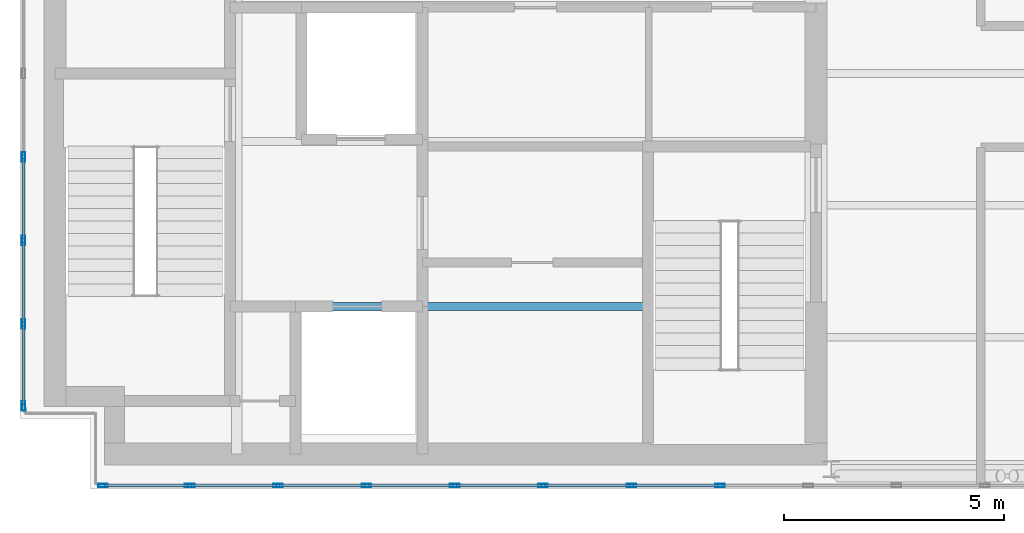
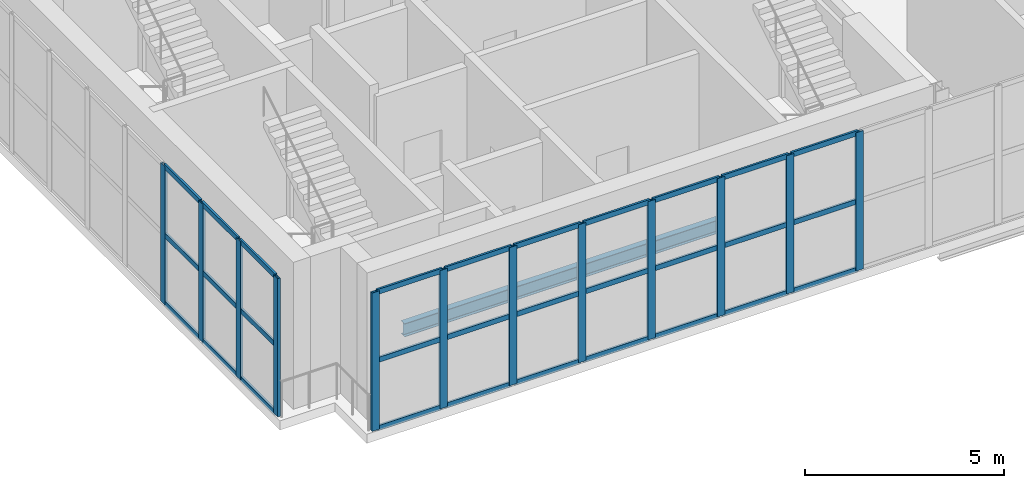
# One storey, part 2 of 21: 42 members, 1 beam, 2 elements without a shape of their own.
"""IFC4 building model written with IfcOpenShell, lengths in metres."""

from ifc_helpers import new_model, si_unit, direction, frame, origin, origin_2d, place, context, subcontext, project, spatial, hollow_rectangle, i_section, extrude, material, layer, layer_set, material_profile, profile_set, type_object, element, aggregate, save


model = new_model("IFC4")

# Units and contexts
model_context = context("Model", 3, precision=1e-05, world=origin(), true_north=direction((0.0, 1.0)))
body_context = subcontext(model_context, "Body", "Model", "MODEL_VIEW")
ifc_project = project(units=[si_unit("LENGTHUNIT", "METRE"), si_unit("AREAUNIT", "SQUARE_METRE"), si_unit("VOLUMEUNIT", "CUBIC_METRE"), si_unit("PLANEANGLEUNIT", "RADIAN"), si_unit("MASSUNIT", "GRAM", prefix="KILO")], contexts=[model_context])

# Site, building, storey
site_placement = place(None, origin())
site = spatial("IfcSite", under=ifc_project, at=site_placement, CompositionType="ELEMENT")
building_placement = place(site_placement, origin())
building = spatial("IfcBuilding", under=site, at=building_placement, Name="Mawjdan Bourse Tower", CompositionType="ELEMENT")
storey_placement = place(building_placement, frame((0.0, 0.0, 317.699951171875)))
storey = spatial("IfcBuildingStorey", under=building, at=storey_placement, Name="L78", CompositionType="ELEMENT", Elevation=317.699951171875)

# Beam
ifc_material_1 = material(Name="Structural Steel S355", Category="steel")
ifc_material_profile_1 = material_profile(ifc_material_1, i_section(OverallWidth=0.177978515625, OverallDepth=0.406982421875, WebThickness=0.0078125, FlangeThickness=0.0126953125, FilletRadius=0.01025390625, at=origin_2d()), Name="W16X40")
ifc_profile_set_1 = profile_set([ifc_material_profile_1], Name="Structural Steel S355")
beam_type = type_object("IfcBeamType", Name="JST-W16X40", PredefinedType="JOIST", material=ifc_profile_set_1)
beam_placement = place(storey_placement, frame((10.593017578125, 6.699951171875, -0.4833984375), z_axis=(1.0, 0.0, 0.0), x_axis=(0.0, 1.0, 0.0)))
element("IfcBeam", 1, at=beam_placement, inside=storey, type_object=beam_type, Name="L78 Core Floor Joist 026", PredefinedType="JOIST", context=body_context, shape_type="SweptSolid", body=[
    extrude(i_section(OverallWidth=0.177978515625, OverallDepth=0.406982421875, WebThickness=0.0078125, FlangeThickness=0.0126953125, FilletRadius=0.01025390625, at=origin_2d()), origin(), (0.0, 0.0, 1.0), 9.237060546875),
])

# Curtain wall, members
ifc_material_2 = material(Name="Thermally Broken Aluminium and Solar Glass", Category="aluminium")
ifc_layer = layer(ifc_material_2, 0.219970703125)
ifc_layer_set = layer_set([ifc_layer], Name="Thermally Broken Aluminium and Solar Glass")
curtain_wall_type = type_object("IfcCurtainWallType", Name="CW-CRN", PredefinedType="USERDEFINED", material=ifc_layer_set)
curtain_wall_1_placement = place(storey_placement, origin())
curtain_wall_1 = element("IfcCurtainWall", 2, at=curtain_wall_1_placement, inside=storey, type_object=curtain_wall_type, Name="L78 Lantern Crown South Curtain Wall", ObjectType="LANTERN GLAZED CROWN", PredefinedType="USERDEFINED")
ifc_material_3 = material(Name="Thermally Broken Anodised Aluminium", Category="aluminium")
ifc_material_profile_2 = material_profile(ifc_material_3, hollow_rectangle(XDim=0.074951171875, YDim=0.219970703125, WallThickness=0.0048828125, at=origin_2d()), Name="ALU-MUL-220X75")
ifc_profile_set_2 = profile_set([ifc_material_profile_2], Name="Thermally Broken Anodised Aluminium")
member_type_1 = type_object("IfcMemberType", Name="MUL-ALU-MUL-220X75", PredefinedType="MULLION", material=ifc_profile_set_2)
member_1_placement = place(storey_placement, frame((7.4375, 2.6298828125, 0.0), z_axis=(0.0, 0.0, 1.0), x_axis=(0.0, 1.0, 0.0)))
member_1 = element("IfcMember", 3, at=member_1_placement, type_object=member_type_1, Name="CW-CRN-L78-CRN-S mullion 1", PredefinedType="MULLION", context=body_context, shape_type="SweptSolid", body=[
    extrude(hollow_rectangle(XDim=0.074951171875, YDim=0.219970703125, WallThickness=0.0048828125, at=origin_2d()), origin(), (0.0, 0.0, 1.0), 4.239990234375),
])
member_2_placement = place(storey_placement, frame((9.409423828125, 2.6298828125, 0.0), z_axis=(0.0, 0.0, 1.0), x_axis=(0.0, 1.0, 0.0)))
member_2 = element("IfcMember", 4, at=member_2_placement, type_object=member_type_1, Name="CW-CRN-L78-CRN-S mullion 2", PredefinedType="MULLION", context=body_context, shape_type="SweptSolid", body=[
    extrude(hollow_rectangle(XDim=0.074951171875, YDim=0.219970703125, WallThickness=0.0048828125, at=origin_2d()), origin(), (0.0, 0.0, 1.0), 4.239990234375),
])
member_3_placement = place(storey_placement, frame((11.4189453125, 2.6298828125, 0.0), z_axis=(0.0, 0.0, 1.0), x_axis=(0.0, 1.0, 0.0)))
member_3 = element("IfcMember", 5, at=member_3_placement, type_object=member_type_1, Name="CW-CRN-L78-CRN-S mullion 3", PredefinedType="MULLION", context=body_context, shape_type="SweptSolid", body=[
    extrude(hollow_rectangle(XDim=0.074951171875, YDim=0.219970703125, WallThickness=0.0048828125, at=origin_2d()), origin(), (0.0, 0.0, 1.0), 4.239990234375),
])
member_4_placement = place(storey_placement, frame((13.428466796875, 2.6298828125, 0.0), z_axis=(0.0, 0.0, 1.0), x_axis=(0.0, 1.0, 0.0)))
member_4 = element("IfcMember", 6, at=member_4_placement, type_object=member_type_1, Name="CW-CRN-L78-CRN-S mullion 4", PredefinedType="MULLION", context=body_context, shape_type="SweptSolid", body=[
    extrude(hollow_rectangle(XDim=0.074951171875, YDim=0.219970703125, WallThickness=0.0048828125, at=origin_2d()), origin(), (0.0, 0.0, 1.0), 4.239990234375),
])
member_5_placement = place(storey_placement, frame((15.43798828125, 2.6298828125, 0.0), z_axis=(0.0, 0.0, 1.0), x_axis=(0.0, 1.0, 0.0)))
member_5 = element("IfcMember", 7, at=member_5_placement, type_object=member_type_1, Name="CW-CRN-L78-CRN-S mullion 5", PredefinedType="MULLION", context=body_context, shape_type="SweptSolid", body=[
    extrude(hollow_rectangle(XDim=0.074951171875, YDim=0.219970703125, WallThickness=0.0048828125, at=origin_2d()), origin(), (0.0, 0.0, 1.0), 4.239990234375),
])
member_6_placement = place(storey_placement, frame((17.447509765625, 2.6298828125, 0.0), z_axis=(0.0, 0.0, 1.0), x_axis=(0.0, 1.0, 0.0)))
member_6 = element("IfcMember", 8, at=member_6_placement, type_object=member_type_1, Name="CW-CRN-L78-CRN-S mullion 6", PredefinedType="MULLION", context=body_context, shape_type="SweptSolid", body=[
    extrude(hollow_rectangle(XDim=0.074951171875, YDim=0.219970703125, WallThickness=0.0048828125, at=origin_2d()), origin(), (0.0, 0.0, 1.0), 4.239990234375),
])
member_7_placement = place(storey_placement, frame((19.45703125, 2.6298828125, 0.0), z_axis=(0.0, 0.0, 1.0), x_axis=(0.0, 1.0, 0.0)))
member_7 = element("IfcMember", 9, at=member_7_placement, type_object=member_type_1, Name="CW-CRN-L78-CRN-S mullion 7", PredefinedType="MULLION", context=body_context, shape_type="SweptSolid", body=[
    extrude(hollow_rectangle(XDim=0.074951171875, YDim=0.219970703125, WallThickness=0.0048828125, at=origin_2d()), origin(), (0.0, 0.0, 1.0), 4.239990234375),
])
member_8_placement = place(storey_placement, frame((21.466552734375, 2.6298828125, 0.0), z_axis=(0.0, 0.0, 1.0), x_axis=(0.0, 1.0, 0.0)))
member_8 = element("IfcMember", 10, at=member_8_placement, type_object=member_type_1, Name="CW-CRN-L78-CRN-S mullion 8", PredefinedType="MULLION", context=body_context, shape_type="SweptSolid", body=[
    extrude(hollow_rectangle(XDim=0.074951171875, YDim=0.219970703125, WallThickness=0.0048828125, at=origin_2d()), origin(), (0.0, 0.0, 1.0), 4.239990234375),
])

curtain_wall_2_placement = place(storey_placement, origin())
curtain_wall_2 = element("IfcCurtainWall", 11, at=curtain_wall_2_placement, inside=storey, type_object=curtain_wall_type, Name="L78 Lantern Crown West Curtain Wall", ObjectType="LANTERN GLAZED CROWN", PredefinedType="USERDEFINED")
member_9_placement = place(storey_placement, frame((5.6298828125, 10.10009765625, 0.0), z_axis=(0.0, 0.0, 1.0), x_axis=(1.0, 0.0, 0.0)))
member_9 = element("IfcMember", 12, at=member_9_placement, type_object=member_type_1, Name="CW-CRN-L78-CRN-W mullion 6", PredefinedType="MULLION", context=body_context, shape_type="SweptSolid", body=[
    extrude(hollow_rectangle(XDim=0.074951171875, YDim=0.219970703125, WallThickness=0.0048828125, at=origin_2d()), origin(), (0.0, 0.0, 1.0), 4.239990234375),
])
member_10_placement = place(storey_placement, frame((5.6298828125, 8.199951171875, 0.0), z_axis=(0.0, 0.0, 1.0), x_axis=(1.0, 0.0, 0.0)))
member_10 = element("IfcMember", 13, at=member_10_placement, type_object=member_type_1, Name="CW-CRN-L78-CRN-W mullion 7", PredefinedType="MULLION", context=body_context, shape_type="SweptSolid", body=[
    extrude(hollow_rectangle(XDim=0.074951171875, YDim=0.219970703125, WallThickness=0.0048828125, at=origin_2d()), origin(), (0.0, 0.0, 1.0), 4.239990234375),
])
member_11_placement = place(storey_placement, frame((5.6298828125, 6.300048828125, 0.0), z_axis=(0.0, 0.0, 1.0), x_axis=(1.0, 0.0, 0.0)))
member_11 = element("IfcMember", 14, at=member_11_placement, type_object=member_type_1, Name="CW-CRN-L78-CRN-W mullion 8", PredefinedType="MULLION", context=body_context, shape_type="SweptSolid", body=[
    extrude(hollow_rectangle(XDim=0.074951171875, YDim=0.219970703125, WallThickness=0.0048828125, at=origin_2d()), origin(), (0.0, 0.0, 1.0), 4.239990234375),
])
member_12_placement = place(storey_placement, frame((5.6298828125, 4.4375, 0.0), z_axis=(0.0, 0.0, 1.0), x_axis=(1.0, 0.0, 0.0)))
member_12 = element("IfcMember", 15, at=member_12_placement, type_object=member_type_1, Name="CW-CRN-L78-CRN-W mullion 9", PredefinedType="MULLION", context=body_context, shape_type="SweptSolid", body=[
    extrude(hollow_rectangle(XDim=0.074951171875, YDim=0.219970703125, WallThickness=0.0048828125, at=origin_2d()), origin(), (0.0, 0.0, 1.0), 4.239990234375),
])

# Member
ifc_material_profile_3 = material_profile(ifc_material_3, hollow_rectangle(XDim=0.06005859375, YDim=0.155029296875, WallThickness=0.00390625, at=origin_2d()), Name="ALU-TRN-155X60")
ifc_profile_set_3 = profile_set([ifc_material_profile_3], Name="Thermally Broken Anodised Aluminium")
member_type_2 = type_object("IfcMemberType", Name="TRN-ALU-TRN-155X60", PredefinedType="USERDEFINED", material=ifc_profile_set_3)
member_13_placement = place(storey_placement, frame((7.47509765625, 2.6298828125, 0.030029296875), z_axis=(1.0, 0.0, 0.0), x_axis=(0.0, 1.0, 0.0)))
member_13 = element("IfcMember", 16, at=member_13_placement, type_object=member_type_2, Name="CW-CRN-L78-CRN-S transom 1.1", ObjectType="TRANSOM", PredefinedType="USERDEFINED", context=body_context, shape_type="SweptSolid", body=[
    extrude(hollow_rectangle(XDim=0.06005859375, YDim=0.155029296875, WallThickness=0.00390625, at=origin_2d()), origin(), (0.0, 0.0, 1.0), 1.89697265625),
])

member_14_placement = place(storey_placement, frame((7.47509765625, 2.6298828125, 2.1201171875), z_axis=(1.0, 0.0, 0.0), x_axis=(0.0, 1.0, 0.0)))
member_14 = element("IfcMember", 17, at=member_14_placement, type_object=member_type_2, Name="CW-CRN-L78-CRN-S transom 1.2", ObjectType="TRANSOM", PredefinedType="USERDEFINED", context=body_context, shape_type="SweptSolid", body=[
    extrude(hollow_rectangle(XDim=0.06005859375, YDim=0.155029296875, WallThickness=0.00390625, at=origin_2d()), origin(), (0.0, 0.0, 1.0), 1.89697265625),
])

member_15_placement = place(storey_placement, frame((7.47509765625, 2.6298828125, 4.2099609375), z_axis=(1.0, 0.0, 0.0), x_axis=(0.0, 1.0, 0.0)))
member_15 = element("IfcMember", 18, at=member_15_placement, type_object=member_type_2, Name="CW-CRN-L78-CRN-S transom 1.3", ObjectType="TRANSOM", PredefinedType="USERDEFINED", context=body_context, shape_type="SweptSolid", body=[
    extrude(hollow_rectangle(XDim=0.06005859375, YDim=0.155029296875, WallThickness=0.00390625, at=origin_2d()), origin(), (0.0, 0.0, 1.0), 1.89697265625),
])

member_16_placement = place(storey_placement, frame((9.447021484375, 2.6298828125, 0.030029296875), z_axis=(1.0, 0.0, 0.0), x_axis=(0.0, 1.0, 0.0)))
member_16 = element("IfcMember", 19, at=member_16_placement, type_object=member_type_2, Name="CW-CRN-L78-CRN-S transom 2.1", ObjectType="TRANSOM", PredefinedType="USERDEFINED", context=body_context, shape_type="SweptSolid", body=[
    extrude(hollow_rectangle(XDim=0.06005859375, YDim=0.155029296875, WallThickness=0.00390625, at=origin_2d()), origin(), (0.0, 0.0, 1.0), 1.9345703125),
])

member_17_placement = place(storey_placement, frame((9.447021484375, 2.6298828125, 2.1201171875), z_axis=(1.0, 0.0, 0.0), x_axis=(0.0, 1.0, 0.0)))
member_17 = element("IfcMember", 20, at=member_17_placement, type_object=member_type_2, Name="CW-CRN-L78-CRN-S transom 2.2", ObjectType="TRANSOM", PredefinedType="USERDEFINED", context=body_context, shape_type="SweptSolid", body=[
    extrude(hollow_rectangle(XDim=0.06005859375, YDim=0.155029296875, WallThickness=0.00390625, at=origin_2d()), origin(), (0.0, 0.0, 1.0), 1.9345703125),
])

member_18_placement = place(storey_placement, frame((9.447021484375, 2.6298828125, 4.2099609375), z_axis=(1.0, 0.0, 0.0), x_axis=(0.0, 1.0, 0.0)))
member_18 = element("IfcMember", 21, at=member_18_placement, type_object=member_type_2, Name="CW-CRN-L78-CRN-S transom 2.3", ObjectType="TRANSOM", PredefinedType="USERDEFINED", context=body_context, shape_type="SweptSolid", body=[
    extrude(hollow_rectangle(XDim=0.06005859375, YDim=0.155029296875, WallThickness=0.00390625, at=origin_2d()), origin(), (0.0, 0.0, 1.0), 1.9345703125),
])

member_19_placement = place(storey_placement, frame((11.45654296875, 2.6298828125, 0.030029296875), z_axis=(1.0, 0.0, 0.0), x_axis=(0.0, 1.0, 0.0)))
member_19 = element("IfcMember", 22, at=member_19_placement, type_object=member_type_2, Name="CW-CRN-L78-CRN-S transom 3.1", ObjectType="TRANSOM", PredefinedType="USERDEFINED", context=body_context, shape_type="SweptSolid", body=[
    extrude(hollow_rectangle(XDim=0.06005859375, YDim=0.155029296875, WallThickness=0.00390625, at=origin_2d()), origin(), (0.0, 0.0, 1.0), 1.9345703125),
])

member_20_placement = place(storey_placement, frame((11.45654296875, 2.6298828125, 2.1201171875), z_axis=(1.0, 0.0, 0.0), x_axis=(0.0, 1.0, 0.0)))
member_20 = element("IfcMember", 23, at=member_20_placement, type_object=member_type_2, Name="CW-CRN-L78-CRN-S transom 3.2", ObjectType="TRANSOM", PredefinedType="USERDEFINED", context=body_context, shape_type="SweptSolid", body=[
    extrude(hollow_rectangle(XDim=0.06005859375, YDim=0.155029296875, WallThickness=0.00390625, at=origin_2d()), origin(), (0.0, 0.0, 1.0), 1.9345703125),
])

member_21_placement = place(storey_placement, frame((11.45654296875, 2.6298828125, 4.2099609375), z_axis=(1.0, 0.0, 0.0), x_axis=(0.0, 1.0, 0.0)))
member_21 = element("IfcMember", 24, at=member_21_placement, type_object=member_type_2, Name="CW-CRN-L78-CRN-S transom 3.3", ObjectType="TRANSOM", PredefinedType="USERDEFINED", context=body_context, shape_type="SweptSolid", body=[
    extrude(hollow_rectangle(XDim=0.06005859375, YDim=0.155029296875, WallThickness=0.00390625, at=origin_2d()), origin(), (0.0, 0.0, 1.0), 1.9345703125),
])

member_22_placement = place(storey_placement, frame((13.466064453125, 2.6298828125, 0.030029296875), z_axis=(1.0, 0.0, 0.0), x_axis=(0.0, 1.0, 0.0)))
member_22 = element("IfcMember", 25, at=member_22_placement, type_object=member_type_2, Name="CW-CRN-L78-CRN-S transom 4.1", ObjectType="TRANSOM", PredefinedType="USERDEFINED", context=body_context, shape_type="SweptSolid", body=[
    extrude(hollow_rectangle(XDim=0.06005859375, YDim=0.155029296875, WallThickness=0.00390625, at=origin_2d()), origin(), (0.0, 0.0, 1.0), 1.9345703125),
])

member_23_placement = place(storey_placement, frame((13.466064453125, 2.6298828125, 2.1201171875), z_axis=(1.0, 0.0, 0.0), x_axis=(0.0, 1.0, 0.0)))
member_23 = element("IfcMember", 26, at=member_23_placement, type_object=member_type_2, Name="CW-CRN-L78-CRN-S transom 4.2", ObjectType="TRANSOM", PredefinedType="USERDEFINED", context=body_context, shape_type="SweptSolid", body=[
    extrude(hollow_rectangle(XDim=0.06005859375, YDim=0.155029296875, WallThickness=0.00390625, at=origin_2d()), origin(), (0.0, 0.0, 1.0), 1.9345703125),
])

member_24_placement = place(storey_placement, frame((13.466064453125, 2.6298828125, 4.2099609375), z_axis=(1.0, 0.0, 0.0), x_axis=(0.0, 1.0, 0.0)))
member_24 = element("IfcMember", 27, at=member_24_placement, type_object=member_type_2, Name="CW-CRN-L78-CRN-S transom 4.3", ObjectType="TRANSOM", PredefinedType="USERDEFINED", context=body_context, shape_type="SweptSolid", body=[
    extrude(hollow_rectangle(XDim=0.06005859375, YDim=0.155029296875, WallThickness=0.00390625, at=origin_2d()), origin(), (0.0, 0.0, 1.0), 1.9345703125),
])

member_25_placement = place(storey_placement, frame((15.4755859375, 2.6298828125, 0.030029296875), z_axis=(1.0, 0.0, 0.0), x_axis=(0.0, 1.0, 0.0)))
member_25 = element("IfcMember", 28, at=member_25_placement, type_object=member_type_2, Name="CW-CRN-L78-CRN-S transom 5.1", ObjectType="TRANSOM", PredefinedType="USERDEFINED", context=body_context, shape_type="SweptSolid", body=[
    extrude(hollow_rectangle(XDim=0.06005859375, YDim=0.155029296875, WallThickness=0.00390625, at=origin_2d()), origin(), (0.0, 0.0, 1.0), 1.9345703125),
])

member_26_placement = place(storey_placement, frame((15.4755859375, 2.6298828125, 2.1201171875), z_axis=(1.0, 0.0, 0.0), x_axis=(0.0, 1.0, 0.0)))
member_26 = element("IfcMember", 29, at=member_26_placement, type_object=member_type_2, Name="CW-CRN-L78-CRN-S transom 5.2", ObjectType="TRANSOM", PredefinedType="USERDEFINED", context=body_context, shape_type="SweptSolid", body=[
    extrude(hollow_rectangle(XDim=0.06005859375, YDim=0.155029296875, WallThickness=0.00390625, at=origin_2d()), origin(), (0.0, 0.0, 1.0), 1.9345703125),
])

member_27_placement = place(storey_placement, frame((15.4755859375, 2.6298828125, 4.2099609375), z_axis=(1.0, 0.0, 0.0), x_axis=(0.0, 1.0, 0.0)))
member_27 = element("IfcMember", 30, at=member_27_placement, type_object=member_type_2, Name="CW-CRN-L78-CRN-S transom 5.3", ObjectType="TRANSOM", PredefinedType="USERDEFINED", context=body_context, shape_type="SweptSolid", body=[
    extrude(hollow_rectangle(XDim=0.06005859375, YDim=0.155029296875, WallThickness=0.00390625, at=origin_2d()), origin(), (0.0, 0.0, 1.0), 1.9345703125),
])

member_28_placement = place(storey_placement, frame((17.485107421875, 2.6298828125, 0.030029296875), z_axis=(1.0, 0.0, 0.0), x_axis=(0.0, 1.0, 0.0)))
member_28 = element("IfcMember", 31, at=member_28_placement, type_object=member_type_2, Name="CW-CRN-L78-CRN-S transom 6.1", ObjectType="TRANSOM", PredefinedType="USERDEFINED", context=body_context, shape_type="SweptSolid", body=[
    extrude(hollow_rectangle(XDim=0.06005859375, YDim=0.155029296875, WallThickness=0.00390625, at=origin_2d()), origin(), (0.0, 0.0, 1.0), 1.9345703125),
])

member_29_placement = place(storey_placement, frame((17.485107421875, 2.6298828125, 2.1201171875), z_axis=(1.0, 0.0, 0.0), x_axis=(0.0, 1.0, 0.0)))
member_29 = element("IfcMember", 32, at=member_29_placement, type_object=member_type_2, Name="CW-CRN-L78-CRN-S transom 6.2", ObjectType="TRANSOM", PredefinedType="USERDEFINED", context=body_context, shape_type="SweptSolid", body=[
    extrude(hollow_rectangle(XDim=0.06005859375, YDim=0.155029296875, WallThickness=0.00390625, at=origin_2d()), origin(), (0.0, 0.0, 1.0), 1.9345703125),
])

member_30_placement = place(storey_placement, frame((17.485107421875, 2.6298828125, 4.2099609375), z_axis=(1.0, 0.0, 0.0), x_axis=(0.0, 1.0, 0.0)))
member_30 = element("IfcMember", 33, at=member_30_placement, type_object=member_type_2, Name="CW-CRN-L78-CRN-S transom 6.3", ObjectType="TRANSOM", PredefinedType="USERDEFINED", context=body_context, shape_type="SweptSolid", body=[
    extrude(hollow_rectangle(XDim=0.06005859375, YDim=0.155029296875, WallThickness=0.00390625, at=origin_2d()), origin(), (0.0, 0.0, 1.0), 1.9345703125),
])

member_31_placement = place(storey_placement, frame((19.49462890625, 2.6298828125, 0.030029296875), z_axis=(1.0, 0.0, 0.0), x_axis=(0.0, 1.0, 0.0)))
member_31 = element("IfcMember", 34, at=member_31_placement, type_object=member_type_2, Name="CW-CRN-L78-CRN-S transom 7.1", ObjectType="TRANSOM", PredefinedType="USERDEFINED", context=body_context, shape_type="SweptSolid", body=[
    extrude(hollow_rectangle(XDim=0.06005859375, YDim=0.155029296875, WallThickness=0.00390625, at=origin_2d()), origin(), (0.0, 0.0, 1.0), 1.9345703125),
])

member_32_placement = place(storey_placement, frame((19.49462890625, 2.6298828125, 2.1201171875), z_axis=(1.0, 0.0, 0.0), x_axis=(0.0, 1.0, 0.0)))
member_32 = element("IfcMember", 35, at=member_32_placement, type_object=member_type_2, Name="CW-CRN-L78-CRN-S transom 7.2", ObjectType="TRANSOM", PredefinedType="USERDEFINED", context=body_context, shape_type="SweptSolid", body=[
    extrude(hollow_rectangle(XDim=0.06005859375, YDim=0.155029296875, WallThickness=0.00390625, at=origin_2d()), origin(), (0.0, 0.0, 1.0), 1.9345703125),
])

member_33_placement = place(storey_placement, frame((19.49462890625, 2.6298828125, 4.2099609375), z_axis=(1.0, 0.0, 0.0), x_axis=(0.0, 1.0, 0.0)))
member_33 = element("IfcMember", 36, at=member_33_placement, type_object=member_type_2, Name="CW-CRN-L78-CRN-S transom 7.3", ObjectType="TRANSOM", PredefinedType="USERDEFINED", context=body_context, shape_type="SweptSolid", body=[
    extrude(hollow_rectangle(XDim=0.06005859375, YDim=0.155029296875, WallThickness=0.00390625, at=origin_2d()), origin(), (0.0, 0.0, 1.0), 1.9345703125),
])

aggregate(curtain_wall_1, [member_1, member_2, member_3, member_4, member_5, member_6, member_7, member_8, member_13, member_14, member_15, member_16, member_17, member_18, member_19, member_20, member_21, member_22, member_23, member_24, member_25, member_26, member_27, member_28, member_29, member_30, member_31, member_32, member_33])

member_34_placement = place(storey_placement, frame((5.6298828125, 10.0625, 0.030029296875), z_axis=(0.0, -1.0, 0.0), x_axis=(1.0, 0.0, 0.0)))
member_34 = element("IfcMember", 37, at=member_34_placement, type_object=member_type_2, Name="CW-CRN-L78-CRN-W transom 6.1", ObjectType="TRANSOM", PredefinedType="USERDEFINED", context=body_context, shape_type="SweptSolid", body=[
    extrude(hollow_rectangle(XDim=0.06005859375, YDim=0.155029296875, WallThickness=0.00390625, at=origin_2d()), origin(), (0.0, 0.0, 1.0), 1.824951171875),
])

member_35_placement = place(storey_placement, frame((5.6298828125, 10.0625, 2.1201171875), z_axis=(0.0, -1.0, 0.0), x_axis=(1.0, 0.0, 0.0)))
member_35 = element("IfcMember", 38, at=member_35_placement, type_object=member_type_2, Name="CW-CRN-L78-CRN-W transom 6.2", ObjectType="TRANSOM", PredefinedType="USERDEFINED", context=body_context, shape_type="SweptSolid", body=[
    extrude(hollow_rectangle(XDim=0.06005859375, YDim=0.155029296875, WallThickness=0.00390625, at=origin_2d()), origin(), (0.0, 0.0, 1.0), 1.824951171875),
])

member_36_placement = place(storey_placement, frame((5.6298828125, 10.0625, 4.2099609375), z_axis=(0.0, -1.0, 0.0), x_axis=(1.0, 0.0, 0.0)))
member_36 = element("IfcMember", 39, at=member_36_placement, type_object=member_type_2, Name="CW-CRN-L78-CRN-W transom 6.3", ObjectType="TRANSOM", PredefinedType="USERDEFINED", context=body_context, shape_type="SweptSolid", body=[
    extrude(hollow_rectangle(XDim=0.06005859375, YDim=0.155029296875, WallThickness=0.00390625, at=origin_2d()), origin(), (0.0, 0.0, 1.0), 1.824951171875),
])

member_37_placement = place(storey_placement, frame((5.6298828125, 8.16259765625, 0.030029296875), z_axis=(0.0, -1.0, 0.0), x_axis=(1.0, 0.0, 0.0)))
member_37 = element("IfcMember", 40, at=member_37_placement, type_object=member_type_2, Name="CW-CRN-L78-CRN-W transom 7.1", ObjectType="TRANSOM", PredefinedType="USERDEFINED", context=body_context, shape_type="SweptSolid", body=[
    extrude(hollow_rectangle(XDim=0.06005859375, YDim=0.155029296875, WallThickness=0.00390625, at=origin_2d()), origin(), (0.0, 0.0, 1.0), 1.8251953125),
])

member_38_placement = place(storey_placement, frame((5.6298828125, 8.16259765625, 2.1201171875), z_axis=(0.0, -1.0, 0.0), x_axis=(1.0, 0.0, 0.0)))
member_38 = element("IfcMember", 41, at=member_38_placement, type_object=member_type_2, Name="CW-CRN-L78-CRN-W transom 7.2", ObjectType="TRANSOM", PredefinedType="USERDEFINED", context=body_context, shape_type="SweptSolid", body=[
    extrude(hollow_rectangle(XDim=0.06005859375, YDim=0.155029296875, WallThickness=0.00390625, at=origin_2d()), origin(), (0.0, 0.0, 1.0), 1.8251953125),
])

member_39_placement = place(storey_placement, frame((5.6298828125, 8.16259765625, 4.2099609375), z_axis=(0.0, -1.0, 0.0), x_axis=(1.0, 0.0, 0.0)))
member_39 = element("IfcMember", 42, at=member_39_placement, type_object=member_type_2, Name="CW-CRN-L78-CRN-W transom 7.3", ObjectType="TRANSOM", PredefinedType="USERDEFINED", context=body_context, shape_type="SweptSolid", body=[
    extrude(hollow_rectangle(XDim=0.06005859375, YDim=0.155029296875, WallThickness=0.00390625, at=origin_2d()), origin(), (0.0, 0.0, 1.0), 1.8251953125),
])

member_40_placement = place(storey_placement, frame((5.6298828125, 6.262451171875, 0.030029296875), z_axis=(0.0, -1.0, 0.0), x_axis=(1.0, 0.0, 0.0)))
member_40 = element("IfcMember", 43, at=member_40_placement, type_object=member_type_2, Name="CW-CRN-L78-CRN-W transom 8.1", ObjectType="TRANSOM", PredefinedType="USERDEFINED", context=body_context, shape_type="SweptSolid", body=[
    extrude(hollow_rectangle(XDim=0.06005859375, YDim=0.155029296875, WallThickness=0.00390625, at=origin_2d()), origin(), (0.0, 0.0, 1.0), 1.787353515625),
])

member_41_placement = place(storey_placement, frame((5.6298828125, 6.262451171875, 2.1201171875), z_axis=(0.0, -1.0, 0.0), x_axis=(1.0, 0.0, 0.0)))
member_41 = element("IfcMember", 44, at=member_41_placement, type_object=member_type_2, Name="CW-CRN-L78-CRN-W transom 8.2", ObjectType="TRANSOM", PredefinedType="USERDEFINED", context=body_context, shape_type="SweptSolid", body=[
    extrude(hollow_rectangle(XDim=0.06005859375, YDim=0.155029296875, WallThickness=0.00390625, at=origin_2d()), origin(), (0.0, 0.0, 1.0), 1.787353515625),
])

member_42_placement = place(storey_placement, frame((5.6298828125, 6.262451171875, 4.2099609375), z_axis=(0.0, -1.0, 0.0), x_axis=(1.0, 0.0, 0.0)))
member_42 = element("IfcMember", 45, at=member_42_placement, type_object=member_type_2, Name="CW-CRN-L78-CRN-W transom 8.3", ObjectType="TRANSOM", PredefinedType="USERDEFINED", context=body_context, shape_type="SweptSolid", body=[
    extrude(hollow_rectangle(XDim=0.06005859375, YDim=0.155029296875, WallThickness=0.00390625, at=origin_2d()), origin(), (0.0, 0.0, 1.0), 1.787353515625),
])

aggregate(curtain_wall_2, [member_9, member_10, member_11, member_12, member_34, member_35, member_36, member_37, member_38, member_39, member_40, member_41, member_42])

save(model, "model.ifc")
